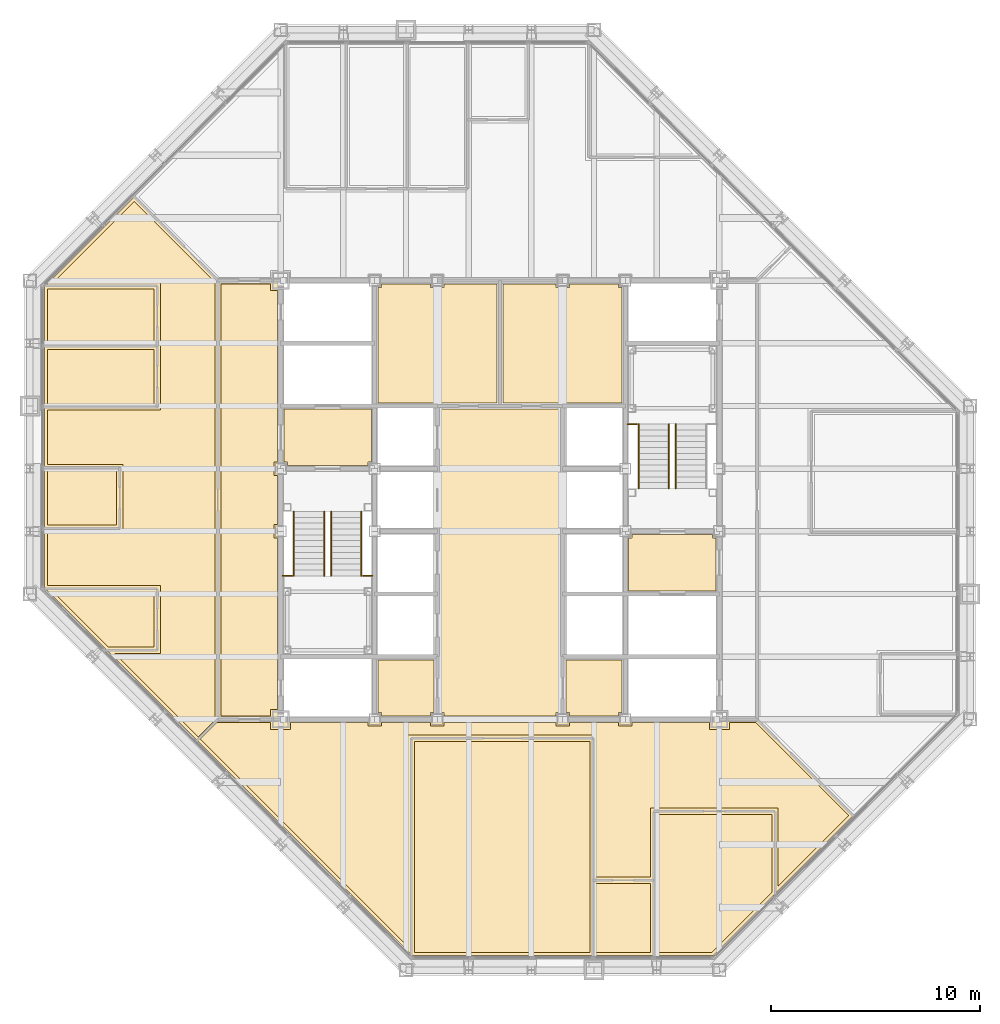
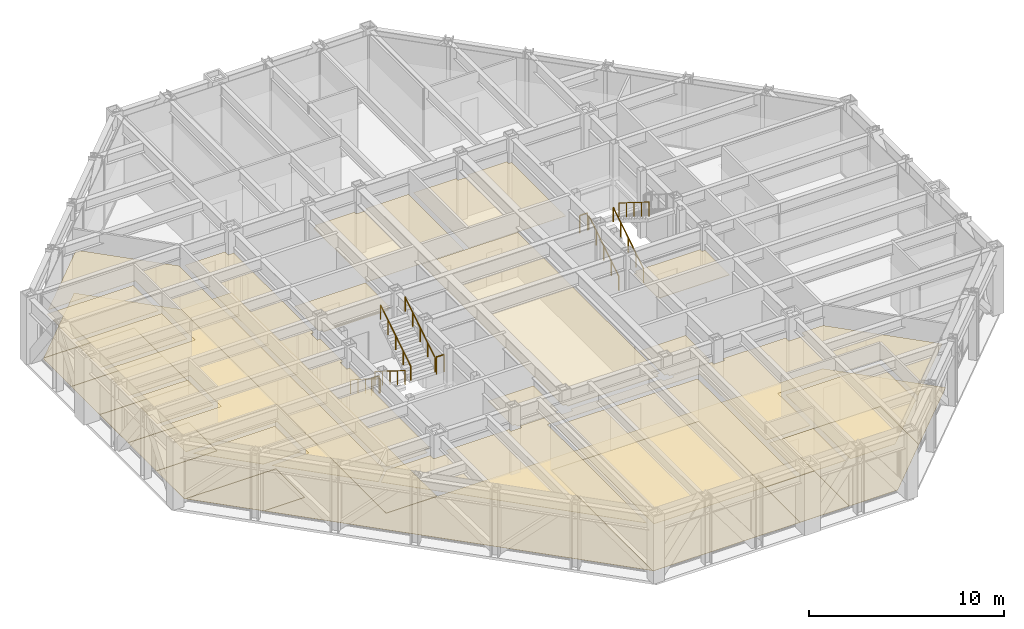
# One storey, part 15 of 16: 26 coverings, 10 railings.
"""IFC4 building model written with IfcOpenShell, lengths in metres."""

from ifc_helpers import new_model, si_unit, direction, frame, origin, origin_2d, place, context, subcontext, project, spatial, polyline, circle, outline, extrude, material, layer, layer_set, type_object, element, save


model = new_model("IFC4")

# Units and contexts
model_context = context("Model", 3, precision=1e-05, world=origin(), true_north=direction((0.0, 1.0)))
body_context = subcontext(model_context, "Body", "Model", "MODEL_VIEW")
ifc_project = project(units=[si_unit("LENGTHUNIT", "METRE"), si_unit("AREAUNIT", "SQUARE_METRE"), si_unit("VOLUMEUNIT", "CUBIC_METRE"), si_unit("PLANEANGLEUNIT", "RADIAN"), si_unit("MASSUNIT", "GRAM", prefix="KILO")], contexts=[model_context])

# Site, building, storey
site_placement = place(None, origin())
site = spatial("IfcSite", under=ifc_project, at=site_placement, CompositionType="ELEMENT")
building_placement = place(site_placement, origin())
building = spatial("IfcBuilding", under=site, at=building_placement, Name="Chuquiago Exchange Tower", CompositionType="ELEMENT")
storey_placement = place(building_placement, frame((0.0, 0.0, 234.89990234375)))
storey = spatial("IfcBuildingStorey", under=building, at=storey_placement, Name="L52", CompositionType="ELEMENT", Elevation=234.89990234375)

# Coverings
ifc_material_1 = material(Name="Mineral fibre tile, 600 x 600, on pale metal grid", Category="mineral fibre")
ifc_layer_1 = layer(ifc_material_1, 0.02001953125)
ifc_layer_set_1 = layer_set([ifc_layer_1], Name="CL1 suspended tile ceiling 20")
covering_type_1 = type_object("IfcCoveringType", Name="CL1 suspended tile ceiling 20", PredefinedType="CEILING", material=ifc_layer_set_1)
covering_1_placement = place(storey_placement, frame((0.0, 0.0, 2.800048828125)))
element("IfcCovering", 1, at=covering_1_placement, inside=storey, type_object=covering_type_1, Name="Ceiling Trading room", PredefinedType="CEILING", context=body_context, shape_type="SweptSolid", body=[
    extrude(outline(polyline([(18.3984375, 10.949951171875), (26.80029296875, 10.949951171875), (26.80029296875, 0.85009765625), (18.3984375, 0.85009765625), (18.3984375, 10.949951171875)])), origin(), (0.0, 0.0, 1.0), 0.02001953125),
])
covering_2_placement = place(storey_placement, frame((0.0, 0.0, 2.800048828125)))
element("IfcCovering", 2, at=covering_2_placement, inside=storey, type_object=covering_type_1, Name="Ceiling Focus room", PredefinedType="CEILING", context=body_context, shape_type="SweptSolid", body=[
    extrude(outline(polyline([(27.100341796875, 4.14990234375), (29.700927734375, 4.14990234375), (29.700927734375, 0.85009765625), (27.100341796875, 0.85009765625), (27.100341796875, 4.14990234375)])), origin(), (0.0, 0.0, 1.0), 0.02001953125),
])
covering_3_placement = place(storey_placement, frame((0.0, 0.0, 2.800048828125)))
element("IfcCovering", 3, at=covering_3_placement, inside=storey, type_object=covering_type_1, Name="Ceiling Risk management office", PredefinedType="CEILING", context=body_context, shape_type="SweptSolid", body=[
    extrude(outline(polyline([(30.0009765625, 0.85009765625), (30.0009765625, 7.449951171875), (35.513671875, 7.449951171875), (35.513671875, 3.715576171875), (32.64794921875, 0.85009765625), (30.0009765625, 0.85009765625)])), origin(), (0.0, 0.0, 1.0), 0.02001953125),
])
covering_4_placement = place(storey_placement, frame((0.0, 0.0, 2.800048828125)))
element("IfcCovering", 4, at=covering_4_placement, inside=storey, type_object=covering_type_1, Name="Ceiling Meeting room", PredefinedType="CEILING", context=body_context, shape_type="SweptSolid", body=[
    extrude(outline(polyline([(5.949951171875, 18.098388671875), (5.949951171875, 15.45703125), (3.744873046875, 15.45703125), (1.103515625, 18.098388671875), (5.949951171875, 18.098388671875)])), origin(), (0.0, 0.0, 1.0), 0.02001953125),
])
covering_5_placement = place(storey_placement, frame((0.0, 0.0, 2.800048828125)))
element("IfcCovering", 5, at=covering_5_placement, inside=storey, type_object=covering_type_1, Name="Ceiling Focus room", PredefinedType="CEILING", context=body_context, shape_type="SweptSolid", body=[
    extrude(outline(polyline([(4.14990234375, 23.899658203125), (4.14990234375, 21.299072265625), (0.85009765625, 21.299072265625), (0.85009765625, 23.899658203125), (4.14990234375, 23.899658203125)])), origin(), (0.0, 0.0, 1.0), 0.02001953125),
])
covering_6_placement = place(storey_placement, frame((0.0, 0.0, 2.800048828125)))
element("IfcCovering", 6, at=covering_6_placement, inside=storey, type_object=covering_type_1, Name="Ceiling Office", PredefinedType="CEILING", context=body_context, shape_type="SweptSolid", body=[
    extrude(outline(polyline([(5.949951171875, 29.700927734375), (5.949951171875, 27.100341796875), (0.85009765625, 27.100341796875), (0.85009765625, 29.700927734375), (5.949951171875, 29.700927734375)])), origin(), (0.0, 0.0, 1.0), 0.02001953125),
])
covering_7_placement = place(storey_placement, frame((0.0, 0.0, 2.800048828125)))
element("IfcCovering", 7, at=covering_7_placement, inside=storey, type_object=covering_type_1, Name="Ceiling Office", PredefinedType="CEILING", context=body_context, shape_type="SweptSolid", body=[
    extrude(outline(polyline([(5.949951171875, 32.6015625), (5.949951171875, 30.0009765625), (0.85009765625, 30.0009765625), (0.85009765625, 32.6015625), (5.949951171875, 32.6015625)])), origin(), (0.0, 0.0, 1.0), 0.02001953125),
])
covering_8_placement = place(storey_placement, frame((0.0, 0.0, 2.800048828125)))
element("IfcCovering", 8, at=covering_8_placement, inside=storey, type_object=covering_type_1, Name="Ceiling Circulation corridor", PredefinedType="CEILING", context=body_context, shape_type="SweptSolid", body=[
    extrude(outline(polyline([(9.14990234375, 12.14990234375), (9.14990234375, 32.85009765625), (11.52490234375, 32.85009765625), (11.52490234375, 32.52490234375), (11.85009765625, 32.52490234375), (11.85009765625, 24.324951171875), (11.675048828125, 24.324951171875), (11.675048828125, 23.675048828125), (11.85009765625, 23.675048828125), (11.85009765625, 21.324951171875), (11.675048828125, 21.324951171875), (11.675048828125, 20.675048828125), (11.85009765625, 20.675048828125), (11.85009765625, 12.47509765625), (11.52490234375, 12.47509765625), (11.52490234375, 12.14990234375), (9.14990234375, 12.14990234375)])), origin(), (0.0, 0.0, 1.0), 0.02001953125),
])
covering_9_placement = place(storey_placement, frame((0.0, 0.0, 2.800048828125)))
element("IfcCovering", 9, at=covering_9_placement, inside=storey, type_object=covering_type_1, Name="Ceiling Open office west", PredefinedType="CEILING", context=body_context, shape_type="SweptSolid", body=[
    extrude(outline(polyline([(11.52490234375, 11.85009765625), (11.52490234375, 11.52490234375), (12.47509765625, 11.52490234375), (12.47509765625, 11.85009765625), (16.175048828125, 11.85009765625), (16.175048828125, 11.675048828125), (16.824951171875, 11.675048828125), (16.824951171875, 11.85009765625), (19.175048828125, 11.85009765625), (19.175048828125, 11.675048828125), (19.824951171875, 11.675048828125), (19.824951171875, 11.85009765625), (25.175048828125, 11.85009765625), (25.175048828125, 11.675048828125), (25.824951171875, 11.675048828125), (25.824951171875, 11.85009765625), (28.175048828125, 11.85009765625), (28.175048828125, 11.675048828125), (28.824951171875, 11.675048828125), (28.824951171875, 11.85009765625), (32.52490234375, 11.85009765625), (32.52490234375, 11.52490234375), (33.47509765625, 11.52490234375), (33.47509765625, 11.85009765625), (34.7373046875, 11.85009765625), (39.192626953125, 7.39453125), (35.813720703125, 4.015625), (35.813720703125, 7.75), (29.700927734375, 7.75), (29.700927734375, 4.449951171875), (27.100341796875, 4.449951171875), (27.100341796875, 11.25), (18.098388671875, 11.25), (18.098388671875, 1.103515625), (8.150390625, 11.051513671875), (8.948974609375, 11.85009765625), (11.52490234375, 11.85009765625)])), origin(), (0.0, 0.0, 1.0), 0.02001953125),
])
covering_10_placement = place(storey_placement, frame((0.0, 0.0, 2.800048828125)))
element("IfcCovering", 10, at=covering_10_placement, inside=storey, type_object=covering_type_1, Name="Ceiling Open office west", PredefinedType="CEILING", context=body_context, shape_type="SweptSolid", body=[
    extrude(outline(polyline([(0.85009765625, 20.9990234375), (4.449951171875, 20.9990234375), (4.449951171875, 24.19970703125), (0.85009765625, 24.19970703125), (0.85009765625, 26.80029296875), (6.25, 26.80029296875), (6.25, 32.901611328125), (1.103515625, 32.901611328125), (4.99462890625, 36.79248046875), (8.85009765625, 32.9375), (8.85009765625, 11.948974609375), (8.051513671875, 11.150390625), (4.044921875, 15.156982421875), (6.25, 15.156982421875), (6.25, 18.3984375), (0.85009765625, 18.3984375), (0.85009765625, 20.9990234375)])), origin(), (0.0, 0.0, 1.0), 0.02001953125),
])
ifc_material_2 = material(Name="Moisture resistant plasterboard on metal frame", Category="gypsum")
ifc_layer_2 = layer(ifc_material_2, 0.014892578125)
ifc_layer_set_2 = layer_set([ifc_layer_2], Name="CL2 moisture resistant ceiling 15")
covering_type_2 = type_object("IfcCoveringType", Name="CL2 moisture resistant ceiling 15", PredefinedType="CEILING", material=ifc_layer_set_2)
covering_11_placement = place(storey_placement, frame((0.0, 0.0, 2.60009765625)))
element("IfcCovering", 11, at=covering_11_placement, inside=storey, type_object=covering_type_2, Name="Ceiling Male WC", PredefinedType="CEILING", context=body_context, shape_type="SweptSolid", body=[
    extrude(outline(polyline([(16.64990234375, 27.14990234375), (16.64990234375, 32.675048828125), (16.824951171875, 32.675048828125), (16.824951171875, 32.85009765625), (19.175048828125, 32.85009765625), (19.175048828125, 32.675048828125), (19.824951171875, 32.675048828125), (19.824951171875, 32.85009765625), (22.35009765625, 32.85009765625), (22.35009765625, 27.14990234375), (16.64990234375, 27.14990234375)])), origin(), (0.0, 0.0, 1.0), 0.014892578125),
])
covering_12_placement = place(storey_placement, frame((0.0, 0.0, 2.60009765625)))
element("IfcCovering", 12, at=covering_12_placement, inside=storey, type_object=covering_type_2, Name="Ceiling Female WC", PredefinedType="CEILING", context=body_context, shape_type="SweptSolid", body=[
    extrude(outline(polyline([(22.64990234375, 27.14990234375), (22.64990234375, 32.85009765625), (25.175048828125, 32.85009765625), (25.175048828125, 32.675048828125), (25.824951171875, 32.675048828125), (25.824951171875, 32.85009765625), (28.175048828125, 32.85009765625), (28.175048828125, 32.675048828125), (28.35009765625, 32.675048828125), (28.35009765625, 27.14990234375), (22.64990234375, 27.14990234375)])), origin(), (0.0, 0.0, 1.0), 0.014892578125),
])
covering_13_placement = place(storey_placement, frame((0.0, 0.0, 2.60009765625)))
element("IfcCovering", 13, at=covering_13_placement, inside=storey, type_object=covering_type_2, Name="Ceiling Accessible WC", PredefinedType="CEILING", context=body_context, shape_type="SweptSolid", body=[
    extrude(outline(polyline([(25.824951171875, 12.14990234375), (25.824951171875, 12.324951171875), (25.64990234375, 12.324951171875), (25.64990234375, 14.85009765625), (28.35009765625, 14.85009765625), (28.35009765625, 12.324951171875), (28.175048828125, 12.324951171875), (28.175048828125, 12.14990234375), (25.824951171875, 12.14990234375)])), origin(), (0.0, 0.0, 1.0), 0.014892578125),
])
covering_14_placement = place(storey_placement, frame((0.0, 0.0, 2.60009765625)))
element("IfcCovering", 14, at=covering_14_placement, inside=storey, type_object=covering_type_2, Name="Ceiling Cleaner", PredefinedType="CEILING", context=body_context, shape_type="SweptSolid", body=[
    extrude(outline(polyline([(16.824951171875, 12.14990234375), (16.824951171875, 12.324951171875), (16.64990234375, 12.324951171875), (16.64990234375, 14.85009765625), (19.35009765625, 14.85009765625), (19.35009765625, 12.324951171875), (19.175048828125, 12.324951171875), (19.175048828125, 12.14990234375), (16.824951171875, 12.14990234375)])), origin(), (0.0, 0.0, 1.0), 0.014892578125),
])
ifc_material_3 = material(Name="Pale metal plank ceiling, perforated", Category="aluminium")
ifc_layer_3 = layer(ifc_material_3, 0.030029296875)
ifc_layer_set_3 = layer_set([ifc_layer_3], Name="CL3 metal plank ceiling 30")
covering_type_3 = type_object("IfcCoveringType", Name="CL3 metal plank ceiling 30", PredefinedType="CEILING", material=ifc_layer_set_3)
covering_15_placement = place(storey_placement, frame((0.0, 0.0, 2.800048828125)))
element("IfcCovering", 15, at=covering_15_placement, inside=storey, type_object=covering_type_3, Name="Ceiling Lift lobby", PredefinedType="CEILING", context=body_context, shape_type="SweptSolid", body=[
    extrude(outline(polyline([(19.824951171875, 12.14990234375), (19.824951171875, 12.324951171875), (19.64990234375, 12.324951171875), (19.64990234375, 26.85009765625), (25.35009765625, 26.85009765625), (25.35009765625, 12.324951171875), (25.175048828125, 12.324951171875), (25.175048828125, 12.14990234375), (19.824951171875, 12.14990234375)])), origin(), (0.0, 0.0, 1.0), 0.030029296875),
])
covering_16_placement = place(storey_placement, frame((0.0, 0.0, 2.800048828125)))
element("IfcCovering", 16, at=covering_16_placement, inside=storey, type_object=covering_type_3, Name="Ceiling Firefighting lobby", PredefinedType="CEILING", context=body_context, shape_type="SweptSolid", body=[
    extrude(outline(polyline([(12.324951171875, 24.14990234375), (12.324951171875, 24.324951171875), (12.14990234375, 24.324951171875), (12.14990234375, 26.85009765625), (16.35009765625, 26.85009765625), (16.35009765625, 24.324951171875), (16.175048828125, 24.324951171875), (16.175048828125, 24.14990234375), (12.324951171875, 24.14990234375)])), origin(), (0.0, 0.0, 1.0), 0.030029296875),
])
covering_17_placement = place(storey_placement, frame((0.0, 0.0, 2.800048828125)))
element("IfcCovering", 17, at=covering_17_placement, inside=storey, type_object=covering_type_3, Name="Ceiling Firefighting lobby", PredefinedType="CEILING", context=body_context, shape_type="SweptSolid", body=[
    extrude(outline(polyline([(28.64990234375, 18.14990234375), (28.64990234375, 20.675048828125), (28.824951171875, 20.675048828125), (28.824951171875, 20.85009765625), (32.675048828125, 20.85009765625), (32.675048828125, 20.675048828125), (32.85009765625, 20.675048828125), (32.85009765625, 18.14990234375), (28.64990234375, 18.14990234375)])), origin(), (0.0, 0.0, 1.0), 0.030029296875),
])
ifc_material_4 = material(Name="Carpet tile, 500 x 500, on the floor slab", Category="textile")
ifc_layer_4 = layer(ifc_material_4, 0.010009765625)
ifc_layer_set_4 = layer_set([ifc_layer_4], Name="FL1 carpet tile 10")
covering_type_4 = type_object("IfcCoveringType", Name="FL1 carpet tile 10", PredefinedType="FLOORING", material=ifc_layer_set_4)
covering_18_placement = place(storey_placement, origin())
element("IfcCovering", 18, at=covering_18_placement, inside=storey, type_object=covering_type_4, Name="Floor finish Trading room", PredefinedType="FLOORING", context=body_context, shape_type="SweptSolid", body=[
    extrude(outline(polyline([(18.289794921875, 0.699951171875), (18.24853515625, 0.741455078125), (18.24853515625, 11.10009765625), (26.9501953125, 11.10009765625), (26.9501953125, 0.699951171875), (18.289794921875, 0.699951171875)])), origin(), (0.0, 0.0, 1.0), 0.010009765625),
])
covering_19_placement = place(storey_placement, origin())
element("IfcCovering", 19, at=covering_19_placement, inside=storey, type_object=covering_type_4, Name="Floor finish Focus room", PredefinedType="FLOORING", context=body_context, shape_type="SweptSolid", body=[
    extrude(outline(polyline([(26.9501953125, 0.699951171875), (26.9501953125, 4.300048828125), (29.850830078125, 4.300048828125), (29.850830078125, 0.699951171875), (26.9501953125, 0.699951171875)])), origin(), (0.0, 0.0, 1.0), 0.010009765625),
])
covering_20_placement = place(storey_placement, origin())
element("IfcCovering", 20, at=covering_20_placement, inside=storey, type_object=covering_type_4, Name="Floor finish Risk management office", PredefinedType="FLOORING", context=body_context, shape_type="SweptSolid", body=[
    extrude(outline(polyline([(32.710205078125, 0.699951171875), (29.850830078125, 0.699951171875), (29.850830078125, 7.60009765625), (35.66357421875, 7.60009765625), (35.66357421875, 3.653564453125), (32.710205078125, 0.699951171875)])), origin(), (0.0, 0.0, 1.0), 0.010009765625),
])
covering_21_placement = place(storey_placement, origin())
element("IfcCovering", 21, at=covering_21_placement, inside=storey, type_object=covering_type_4, Name="Floor finish Meeting room", PredefinedType="FLOORING", context=body_context, shape_type="SweptSolid", body=[
    extrude(outline(polyline([(0.741455078125, 18.24853515625), (6.10009765625, 18.24853515625), (6.10009765625, 15.30712890625), (3.682861328125, 15.30712890625), (0.741455078125, 18.24853515625)])), origin(), (0.0, 0.0, 1.0), 0.010009765625),
])
covering_22_placement = place(storey_placement, origin())
element("IfcCovering", 22, at=covering_22_placement, inside=storey, type_object=covering_type_4, Name="Floor finish Focus room", PredefinedType="FLOORING", context=body_context, shape_type="SweptSolid", body=[
    extrude(outline(polyline([(0.699951171875, 24.0498046875), (4.300048828125, 24.0498046875), (4.300048828125, 21.149169921875), (0.699951171875, 21.149169921875), (0.699951171875, 24.0498046875)])), origin(), (0.0, 0.0, 1.0), 0.010009765625),
])
covering_23_placement = place(storey_placement, origin())
element("IfcCovering", 23, at=covering_23_placement, inside=storey, type_object=covering_type_4, Name="Floor finish Office", PredefinedType="FLOORING", context=body_context, shape_type="SweptSolid", body=[
    extrude(outline(polyline([(0.699951171875, 29.850830078125), (6.10009765625, 29.850830078125), (6.10009765625, 26.9501953125), (0.699951171875, 26.9501953125), (0.699951171875, 29.850830078125)])), origin(), (0.0, 0.0, 1.0), 0.010009765625),
])
covering_24_placement = place(storey_placement, origin())
element("IfcCovering", 24, at=covering_24_placement, inside=storey, type_object=covering_type_4, Name="Floor finish Office", PredefinedType="FLOORING", context=body_context, shape_type="SweptSolid", body=[
    extrude(outline(polyline([(0.699951171875, 32.710205078125), (0.741455078125, 32.75146484375), (6.10009765625, 32.75146484375), (6.10009765625, 29.850830078125), (0.699951171875, 29.850830078125), (0.699951171875, 32.710205078125)])), origin(), (0.0, 0.0, 1.0), 0.010009765625),
])
covering_25_placement = place(storey_placement, origin())
element("IfcCovering", 25, at=covering_25_placement, inside=storey, type_object=covering_type_4, Name="Floor finish Open office west", PredefinedType="FLOORING", context=body_context, shape_type="SweptSolid", body=[
    extrude(outline(polyline([(4.300048828125, 24.0498046875), (0.699951171875, 24.0498046875), (0.699951171875, 26.9501953125), (6.10009765625, 26.9501953125), (6.10009765625, 32.75146484375), (0.741455078125, 32.75146484375), (4.99462890625, 37.004638671875), (9.0, 32.99951171875), (9.0, 12.0), (34.799560546875, 12.0), (39.40478515625, 7.39453125), (35.66357421875, 3.653564453125), (35.66357421875, 7.60009765625), (29.850830078125, 7.60009765625), (29.850830078125, 4.300048828125), (26.9501953125, 4.300048828125), (26.9501953125, 11.10009765625), (18.24853515625, 11.10009765625), (18.24853515625, 0.741455078125), (3.682861328125, 15.30712890625), (6.10009765625, 15.30712890625), (6.10009765625, 18.24853515625), (0.741455078125, 18.24853515625), (0.699951171875, 18.289794921875), (0.699951171875, 21.149169921875), (4.300048828125, 21.149169921875), (4.300048828125, 24.0498046875)])), origin(), (0.0, 0.0, 1.0), 0.010009765625),
])
ifc_material_5 = material(Name="Porcelain floor tile, 600 x 600, on adhesive bed", Category="ceramic")
ifc_layer_5 = layer(ifc_material_5, 0.014892578125)
ifc_layer_set_5 = layer_set([ifc_layer_5], Name="FL2 porcelain tile 15")
covering_type_5 = type_object("IfcCoveringType", Name="FL2 porcelain tile 15", PredefinedType="FLOORING", material=ifc_layer_set_5)
covering_26_placement = place(storey_placement, origin())
element("IfcCovering", 26, at=covering_26_placement, inside=storey, type_object=covering_type_5, Name="Floor finish Circulation corridor", PredefinedType="FLOORING", context=body_context, shape_type="SweptSolid", body=[
    extrude(outline(polyline([(12.0, 12.0), (9.0, 12.0), (9.0, 33.0), (12.0, 33.0), (12.0, 12.0)])), origin(), (0.0, 0.0, 1.0), 0.01513671875),
])

# Railings
ifc_material_6 = material(Name="Pale metal guard with safety glass infill", Category="glass")
railing_type_1 = type_object("IfcRailingType", Name="GR1 guard 1100", PredefinedType="GUARDRAIL", material=ifc_material_6)
for number, where, name in (
    (27, (12.10009765625, 18.8701171875, 2.10009765625), "Guard ST1 L52 landing 2"),
    (28, (15.945068359375, 18.8701171875, 2.10009765625), "Guard ST1 L52 landing 2"),
    (29, (28.60009765625, 26.1298828125, 2.10009765625), "Guard ST2 L52 landing 2"),
):
    element("IfcRailing", number, at=place(storey_placement, frame(where)), inside=storey, type_object=railing_type_1, Name=name, PredefinedType="GUARDRAIL", context=body_context, shape_type="SweptSolid", body=[
        extrude(circle(Radius=0.02392578125, at=origin_2d()), frame((0.0, 0.0, 1.076171875), z_axis=(1.0, 0.0, 0.0), x_axis=(0.0, 1.0, 0.0)), (0.0, 0.0, 1.0), 0.454833984375),
        extrude(circle(Radius=0.02099609375, at=origin_2d()), origin(), (0.0, 0.0, 1.0), 1.052001953125),
        extrude(circle(Radius=0.02099609375, at=origin_2d()), frame((0.454833984375, 0.0, 0.0)), (0.0, 0.0, 1.0), 1.052001953125),
    ])
ifc_material_7 = material(Name="Pale metal handrail", Category="steel")
railing_type_2 = type_object("IfcRailingType", Name="HR1 handrail 900", PredefinedType="HANDRAIL", material=ifc_material_7)
for number, where, name in (
    (30, (12.635009765625, 21.949951171875, 0.175048828125), "Handrail ST1 L52 flight 1"),
    (31, (14.0849609375, 21.949951171875, 0.175048828125), "Handrail ST1 L52 flight 1"),
):
    element("IfcRailing", number, at=place(storey_placement, frame(where)), inside=storey, type_object=railing_type_2, Name=name, PredefinedType="HANDRAIL", context=body_context, shape_type="SweptSolid", body=[
        extrude(circle(Radius=0.02392578125, at=origin_2d()), frame((0.0, 0.0, 0.8759765625), z_axis=(0.0, -0.847979421464, 0.530029150871), x_axis=(1.0, 0.0, 0.0)), (0.0, 0.0, 1.0), 3.632080078125),
        extrude(circle(Radius=0.02099609375, at=origin_2d()), origin(), (0.0, 0.0, 1.0), 0.851806640625),
        extrude(circle(Radius=0.02099609375, at=origin_2d()), frame((0.0, -0.77001953125, 0.481201171875)), (0.0, 0.0, 1.0), 0.851806640625),
        extrude(circle(Radius=0.02099609375, at=origin_2d()), frame((0.0, -1.5400390625, 0.96240234375)), (0.0, 0.0, 1.0), 0.851806640625),
        extrude(circle(Radius=0.02099609375, at=origin_2d()), frame((0.0, -2.309814453125, 1.44384765625)), (0.0, 0.0, 1.0), 0.851806640625),
        extrude(circle(Radius=0.02099609375, at=origin_2d()), frame((0.0, -3.079833984375, 1.925048828125)), (0.0, 0.0, 1.0), 0.851806640625),
    ])
for number, where, name in (
    (32, (15.864990234375, 18.8701171875, 2.275146484375), "Handrail ST1 L52 flight 2"),
    (33, (14.4150390625, 18.8701171875, 2.275146484375), "Handrail ST1 L52 flight 2"),
    (34, (30.5849609375, 23.050048828125, 0.175048828125), "Handrail ST2 L52 flight 1"),
    (35, (29.135009765625, 23.050048828125, 0.175048828125), "Handrail ST2 L52 flight 1"),
):
    element("IfcRailing", number, at=place(storey_placement, frame(where)), inside=storey, type_object=railing_type_2, Name=name, PredefinedType="HANDRAIL", context=body_context, shape_type="SweptSolid", body=[
        extrude(circle(Radius=0.02392578125, at=origin_2d()), frame((0.0, 0.0, 0.8759765625), z_axis=(0.0, 0.847979421464, 0.530029150871), x_axis=(-1.0, 0.0, 0.0)), (0.0, 0.0, 1.0), 3.632080078125),
        extrude(circle(Radius=0.02099609375, at=origin_2d()), origin(), (0.0, 0.0, 1.0), 0.851806640625),
        extrude(circle(Radius=0.02099609375, at=origin_2d()), frame((0.0, 0.77001953125, 0.481201171875)), (0.0, 0.0, 1.0), 0.851806640625),
        extrude(circle(Radius=0.02099609375, at=origin_2d()), frame((0.0, 1.5400390625, 0.96240234375)), (0.0, 0.0, 1.0), 0.851806640625),
        extrude(circle(Radius=0.02099609375, at=origin_2d()), frame((0.0, 2.309814453125, 1.44384765625)), (0.0, 0.0, 1.0), 0.851806640625),
        extrude(circle(Radius=0.02099609375, at=origin_2d()), frame((0.0, 3.079833984375, 1.925048828125)), (0.0, 0.0, 1.0), 0.851806640625),
    ])
railing_placement = place(storey_placement, frame((30.9150390625, 26.1298828125, 2.275146484375)))
element("IfcRailing", 36, at=railing_placement, inside=storey, type_object=railing_type_2, Name="Handrail ST2 L52 flight 2", PredefinedType="HANDRAIL", context=body_context, shape_type="SweptSolid", body=[
    extrude(circle(Radius=0.02392578125, at=origin_2d()), frame((0.0, 0.0, 0.8759765625), z_axis=(0.0, -0.847979421464, 0.530029150871), x_axis=(1.0, 0.0, 0.0)), (0.0, 0.0, 1.0), 3.632080078125),
    extrude(circle(Radius=0.02099609375, at=origin_2d()), origin(), (0.0, 0.0, 1.0), 0.851806640625),
    extrude(circle(Radius=0.02099609375, at=origin_2d()), frame((0.0, -0.77001953125, 0.481201171875)), (0.0, 0.0, 1.0), 0.851806640625),
    extrude(circle(Radius=0.02099609375, at=origin_2d()), frame((0.0, -1.5400390625, 0.96240234375)), (0.0, 0.0, 1.0), 0.851806640625),
    extrude(circle(Radius=0.02099609375, at=origin_2d()), frame((0.0, -2.309814453125, 1.44384765625)), (0.0, 0.0, 1.0), 0.851806640625),
    extrude(circle(Radius=0.02099609375, at=origin_2d()), frame((0.0, -3.079833984375, 1.925048828125)), (0.0, 0.0, 1.0), 0.851806640625),
])

save(model, "model.ifc")
